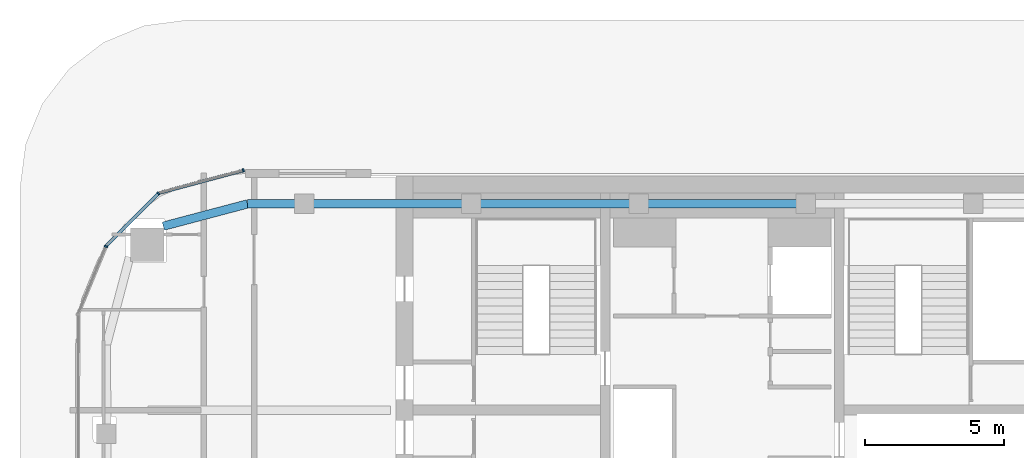
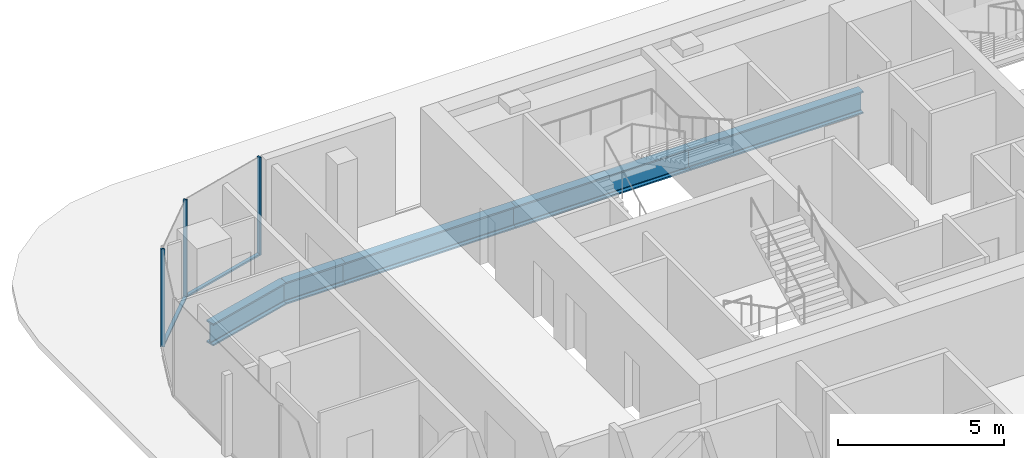
# One storey, part 10 of 21: 5 beams, 5 members, 3 elements without a shape of their own.
"""IFC4 building model written with IfcOpenShell, lengths in metres."""

from ifc_helpers import new_model, si_unit, direction, frame, origin, origin_2d, place, context, subcontext, project, spatial, rectangle, i_section, extrude, material, layer, layer_set, material_profile, profile_set, type_object, element, aggregate, save


model = new_model("IFC4")

# Units and contexts
model_context = context("Model", 3, precision=1e-05, world=origin(), true_north=direction((0.0, 1.0)))
body_context = subcontext(model_context, "Body", "Model", "MODEL_VIEW")
ifc_project = project(units=[si_unit("LENGTHUNIT", "METRE"), si_unit("AREAUNIT", "SQUARE_METRE"), si_unit("VOLUMEUNIT", "CUBIC_METRE"), si_unit("PLANEANGLEUNIT", "RADIAN"), si_unit("MASSUNIT", "GRAM", prefix="KILO")], contexts=[model_context])

# Site, building, storey
site_placement = place(None, origin())
site = spatial("IfcSite", under=ifc_project, at=site_placement, CompositionType="ELEMENT")
building_placement = place(site_placement, origin())
building = spatial("IfcBuilding", under=site, at=building_placement, Name="Marenta Gate Hotel Tower", CompositionType="ELEMENT")
storey_placement = place(building_placement, frame((0.0, 0.0, 266.89990234375)))
storey = spatial("IfcBuildingStorey", under=building, at=storey_placement, Name="L61", CompositionType="ELEMENT", Elevation=266.89990234375)

# Beams
ifc_material_1 = material(Name="Steel S355", Category="steel")
ifc_material_profile_1 = material_profile(ifc_material_1, i_section(OverallWidth=0.302978515625, OverallDepth=0.81396484375, WebThickness=0.030029296875, FlangeThickness=0.052001953125, FilletRadius=0.030029296875, at=origin_2d()), Name="HEM 800")
ifc_profile_set_1 = profile_set([ifc_material_profile_1], Name="Steel S355")
beam_type = type_object("IfcBeamType", Name="Edge beam HEM 800", PredefinedType="SPANDREL", material=ifc_profile_set_1)
beam_1_placement = place(storey_placement, frame((-20.055908203125, 15.0009765625, -0.6669921875), z_axis=(0.96676317432, 0.255673551192, 0.0), x_axis=(-0.255673551192, 0.96676317432, 0.0)))
element("IfcBeam", 1, at=beam_1_placement, inside=storey, type_object=beam_type, Name="L61-EB-12", PredefinedType="SPANDREL", context=body_context, shape_type="SweptSolid", body=[
    extrude(i_section(OverallWidth=0.302978515625, OverallDepth=0.81396484375, WebThickness=0.030029296875, FlangeThickness=0.052001953125, FilletRadius=0.030029296875, at=origin_2d()), origin(), (0.0, 0.0, 1.0), 3.125244140625),
])
beam_2_placement = place(storey_placement, frame((-17.034423828125, 15.800048828125, -0.6669921875), z_axis=(1.0, 0.0, 0.0), x_axis=(0.0, 1.0, 0.0)))
element("IfcBeam", 2, at=beam_2_placement, inside=storey, type_object=beam_type, Name="L61-EB-13", PredefinedType="SPANDREL", context=body_context, shape_type="SweptSolid", body=[
    extrude(i_section(OverallWidth=0.302978515625, OverallDepth=0.81396484375, WebThickness=0.030029296875, FlangeThickness=0.052001953125, FilletRadius=0.030029296875, at=origin_2d()), origin(), (0.0, 0.0, 1.0), 2.067626953125),
])
for number, where, z_axis, x_axis, name in (
    (3, (-15.046875, 15.800048828125, -0.6669921875), (1.0, 0.0, 0.0), (0.0, 1.0, 0.0), "L61-EB-14"),
    (4, (-9.044189453125, 15.800048828125, -0.6669921875), (1.0, 0.0, 0.0), (0.0, 1.0, 0.0), "L61-EB-15"),
):
    element("IfcBeam", number, at=place(storey_placement, frame(where, z_axis=z_axis, x_axis=x_axis)), inside=storey, type_object=beam_type, Name=name, PredefinedType="SPANDREL", context=body_context, shape_type="SweptSolid", body=[
        extrude(i_section(OverallWidth=0.302978515625, OverallDepth=0.81396484375, WebThickness=0.030029296875, FlangeThickness=0.052001953125, FilletRadius=0.030029296875, at=origin_2d()), origin(), (0.0, 0.0, 1.0), 6.082763671875),
    ])
beam_3_placement = place(storey_placement, frame((-3.04150390625, 15.800048828125, -0.6669921875), z_axis=(1.0, 0.0, 0.0), x_axis=(0.0, 1.0, 0.0)))
element("IfcBeam", 5, at=beam_3_placement, inside=storey, type_object=beam_type, Name="L61-EB-16", PredefinedType="SPANDREL", context=body_context, shape_type="SweptSolid", body=[
    extrude(i_section(OverallWidth=0.302978515625, OverallDepth=0.81396484375, WebThickness=0.030029296875, FlangeThickness=0.052001953125, FilletRadius=0.030029296875, at=origin_2d()), origin(), (0.0, 0.0, 1.0), 6.0830078125),
])

# Curtain wall, member
ifc_material_2 = material(Name="Tinted insulated glass in bronze anodised frame", Category="glass")
ifc_layer = layer(ifc_material_2, 0.1201171875)
ifc_layer_set = layer_set([ifc_layer], Name="Tinted insulated glass in bronze anodised frame")
curtain_wall_type = type_object("IfcCurtainWallType", Name="Tower unitised curtain wall CW1", PredefinedType="NOTDEFINED", material=ifc_layer_set)
curtain_wall_1_placement = place(storey_placement, origin())
curtain_wall_1 = element("IfcCurtainWall", 6, at=curtain_wall_1_placement, inside=storey, type_object=curtain_wall_type, Name="CW1 run G00", PredefinedType="NOTDEFINED")
ifc_material_3 = material(Name="Bronze anodised aluminium", Category="aluminium")
ifc_material_profile_2 = material_profile(ifc_material_3, rectangle(XDim=0.1201171875, YDim=0.06005859375, at=origin_2d()), Name="Mullion CW1 60x120 bronze anodised aluminium")
ifc_profile_set_2 = profile_set([ifc_material_profile_2], Name="Bronze anodised aluminium")
member_type_1 = type_object("IfcMemberType", Name="Mullion CW1 60x120 bronze anodised aluminium", PredefinedType="MULLION", material=ifc_profile_set_2)
member_1_placement = place(storey_placement, frame((-17.185546875, 17.003173828125, 0.0), z_axis=(0.0, 0.0, 1.0), x_axis=(0.258801379183, -0.965930559685, 0.0)))
member_1 = element("IfcMember", 7, at=member_1_placement, type_object=member_type_1, Name="CW1 mullion 1", PredefinedType="MULLION", context=body_context, shape_type="SweptSolid", body=[
    extrude(rectangle(XDim=0.1201171875, YDim=0.06005859375, at=origin_2d()), origin(), (0.0, 0.0, 1.0), 3.60009765625),
])

curtain_wall_2_placement = place(storey_placement, origin())
curtain_wall_2 = element("IfcCurtainWall", 8, at=curtain_wall_2_placement, inside=storey, type_object=curtain_wall_type, Name="CW1 run G01", PredefinedType="NOTDEFINED")
member_2_placement = place(storey_placement, frame((-20.234130859375, 16.1708984375, 0.0), z_axis=(0.0, 0.0, 1.0), x_axis=(0.707106781187, -0.707106781187, 0.0)))
member_2 = element("IfcMember", 9, at=member_2_placement, type_object=member_type_1, Name="CW1 mullion 1", PredefinedType="MULLION", context=body_context, shape_type="SweptSolid", body=[
    extrude(rectangle(XDim=0.1201171875, YDim=0.06005859375, at=origin_2d()), origin(), (0.0, 0.0, 1.0), 3.60009765625),
])

curtain_wall_3_placement = place(storey_placement, origin())
curtain_wall_3 = element("IfcCurtainWall", 10, at=curtain_wall_3_placement, inside=storey, type_object=curtain_wall_type, Name="CW1 run G02", PredefinedType="NOTDEFINED")
member_3_placement = place(storey_placement, frame((-22.115234375, 14.273681640625, 0.0), z_axis=(0.0, 0.0, 1.0), x_axis=(0.923886433266, -0.382666772044, 0.0)))
member_3 = element("IfcMember", 11, at=member_3_placement, type_object=member_type_1, Name="CW1 mullion 1", PredefinedType="MULLION", context=body_context, shape_type="SweptSolid", body=[
    extrude(rectangle(XDim=0.1201171875, YDim=0.06005859375, at=origin_2d()), origin(), (0.0, 0.0, 1.0), 3.60009765625),
])
aggregate(curtain_wall_3, [member_3])

# Member
ifc_material_4 = material(Name="Bronze anodised aluminium", Category="aluminium")
ifc_material_profile_3 = material_profile(ifc_material_4, rectangle(XDim=0.1201171875, YDim=0.06005859375, at=origin_2d()), Name="Transom CW1 60x120 bronze anodised aluminium")
ifc_profile_set_3 = profile_set([ifc_material_profile_3], Name="Bronze anodised aluminium")
member_type_2 = type_object("IfcMemberType", Name="Transom CW1 60x120 bronze anodised aluminium", PredefinedType="USERDEFINED", material=ifc_profile_set_3)
member_4_placement = place(storey_placement, frame((-17.21435546875, 16.995361328125, 0.030029296875), z_axis=(-0.965944541425, -0.258749189162, 0.0), x_axis=(0.258749189162, -0.965944541425, 0.0)))
member_4 = element("IfcMember", 12, at=member_4_placement, type_object=member_type_2, Name="CW1 transom 1.1", ObjectType="TRANSOM", PredefinedType="USERDEFINED", context=body_context, shape_type="SweptSolid", body=[
    extrude(rectangle(XDim=0.1201171875, YDim=0.06005859375, at=origin_2d()), origin(), (0.0, 0.0, 1.0), 3.104248046875),
])

aggregate(curtain_wall_1, [member_1, member_4])

member_5_placement = place(storey_placement, frame((-20.25537109375, 16.149658203125, 0.030029296875), z_axis=(-0.707106781187, -0.707106781187, 0.0), x_axis=(0.707106781187, -0.707106781187, 0.0)))
member_5 = element("IfcMember", 13, at=member_5_placement, type_object=member_type_2, Name="CW1 transom 1.1", ObjectType="TRANSOM", PredefinedType="USERDEFINED", context=body_context, shape_type="SweptSolid", body=[
    extrude(rectangle(XDim=0.1201171875, YDim=0.06005859375, at=origin_2d()), origin(), (0.0, 0.0, 1.0), 2.614013671875),
])

aggregate(curtain_wall_2, [member_2, member_5])

save(model, "model.ifc")
